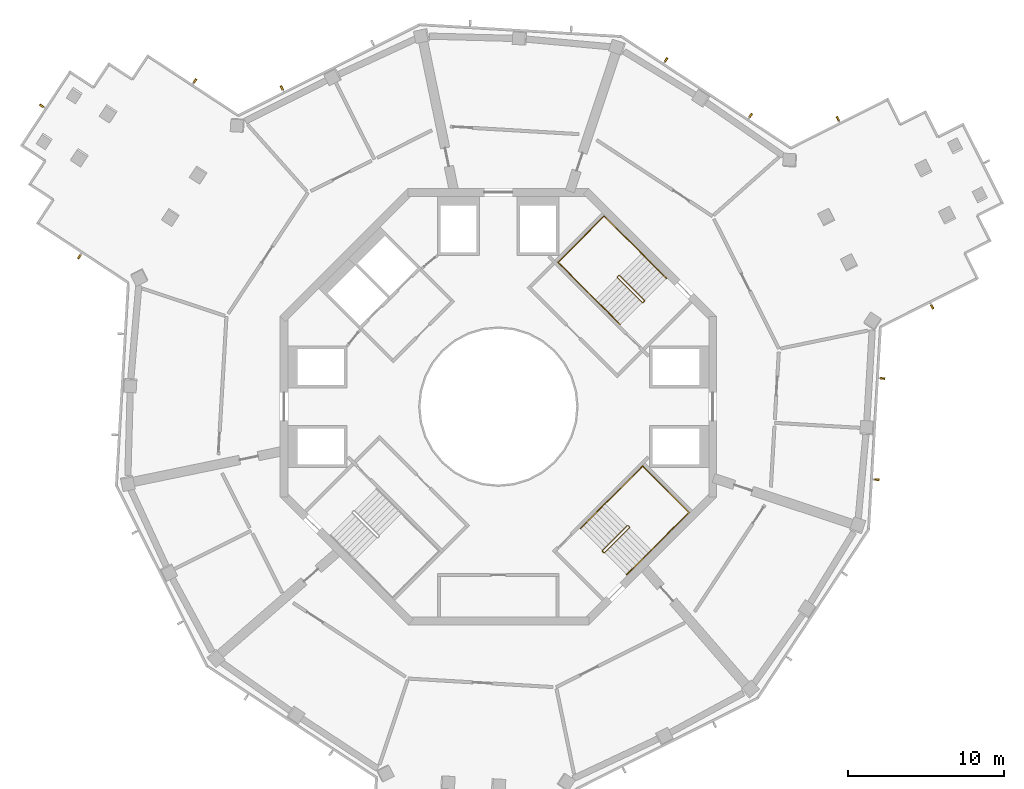
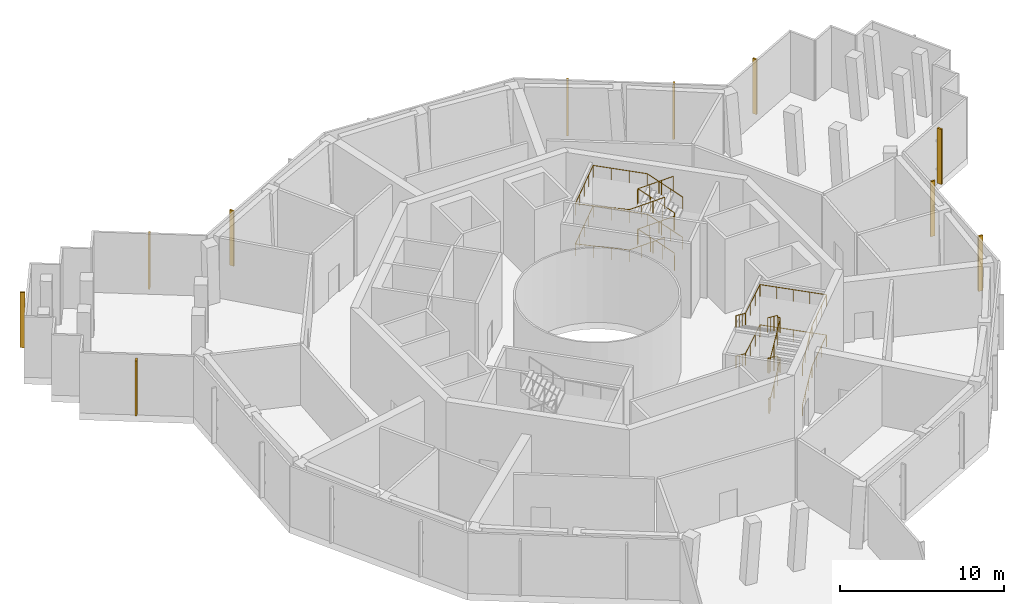
# One storey, part 15 of 16: 10 shading devices, 6 railings.
"""IFC4 building model written with IfcOpenShell, lengths in metres."""

from ifc_helpers import new_model, si_unit, direction, frame, origin, origin_2d, place, context, subcontext, project, spatial, rectangle, circle, extrude, material, material_profile, profile_set, type_object, element, save


model = new_model("IFC4")

# Units and contexts
model_context = context("Model", 3, precision=1e-05, world=origin(), true_north=direction((0.0, 1.0)))
body_context = subcontext(model_context, "Body", "Model", "MODEL_VIEW")
ifc_project = project(units=[si_unit("LENGTHUNIT", "METRE"), si_unit("AREAUNIT", "SQUARE_METRE"), si_unit("VOLUMEUNIT", "CUBIC_METRE"), si_unit("PLANEANGLEUNIT", "RADIAN"), si_unit("MASSUNIT", "GRAM", prefix="KILO")], contexts=[model_context])

# Site, building, storey
site_placement = place(None, origin())
site = spatial("IfcSite", under=ifc_project, at=site_placement, CompositionType="ELEMENT")
building_placement = place(site_placement, origin())
building = spatial("IfcBuilding", under=site, at=building_placement, Name="Verdalira Terraces Hotel", CompositionType="ELEMENT")
storey_placement = place(building_placement, frame((0.0, 0.0, 263.0)))
storey = spatial("IfcBuildingStorey", under=building, at=storey_placement, Name="L65", CompositionType="ELEMENT", Elevation=263.0)

# Railings
ifc_material_1 = material(Name="Stainless steel", Category="steel")
railing_type_1 = type_object("IfcRailingType", Name="Stair guard 1100", PredefinedType="GUARDRAIL", material=ifc_material_1)
railing_1_placement = place(storey_placement, frame((9.369141, 6.75293, 0.0)))
element("IfcRailing", 1, at=railing_1_placement, inside=storey, type_object=railing_type_1, Name="L65 ST1 stair guard 1", PredefinedType="GUARDRAIL", context=body_context, shape_type="SweptSolid", body=[
    extrude(circle(Radius=0.023926, at=origin_2d()), frame((0.0, 0.0, 1.076172), z_axis=(-0.707106781, -0.707106781, 0.0), x_axis=(0.707106781, -0.707106781, 0.0)), (0.0, 0.0, 1.0), 0.100098),
    extrude(circle(Radius=0.023926, at=origin_2d()), frame((-0.070801, -0.070801, 1.076172), z_axis=(0.308122069, 0.615181649, 0.725680598), x_axis=(-0.894118129, 0.447831187, 0.0)), (0.0, 0.0, 1.0), 0.229736),
    extrude(circle(Radius=0.023926, at=origin_2d()), frame((0.0, 0.070557, 1.242676), z_axis=(-0.607628069, 0.607628069, 0.511445266), x_axis=(-0.707106781, -0.707106781, 0.0)), (0.0, 0.0, 1.0), 2.606934),
    extrude(circle(Radius=0.023926, at=origin_2d()), frame((-1.583984, 1.654541, 2.576172), z_axis=(-1.0, 0.0, 0.0), x_axis=(0.0, -1.0, 0.0)), (0.0, 0.0, 1.0), 0.070557),
    extrude(circle(Radius=0.023926, at=origin_2d()), frame((-1.654541, 1.654541, 2.576172), z_axis=(-0.707106781, -0.707106781, 0.0), x_axis=(0.707106781, -0.707106781, 0.0)), (0.0, 0.0, 1.0), 0.100098),
    extrude(circle(Radius=0.023926, at=origin_2d()), frame((-1.725342, 1.58374, 2.576172), z_axis=(0.0, -0.389683978, 0.92094864), x_axis=(1.0, 0.0, 0.0)), (0.0, 0.0, 1.0), 0.181152),
    extrude(circle(Radius=0.023926, at=origin_2d()), frame((-1.725342, 1.513184, 2.742676), z_axis=(0.607628069, -0.607628069, 0.511445266), x_axis=(0.707106781, 0.707106781, 0.0)), (0.0, 0.0, 1.0), 2.606934),
    extrude(circle(Radius=0.023926, at=origin_2d()), frame((-0.141357, -0.070801, 4.076172), z_axis=(1.0, 0.0, 0.0), x_axis=(0.0, 1.0, 0.0)), (0.0, 0.0, 1.0), 0.070557),
    extrude(circle(Radius=0.023926, at=origin_2d()), frame((-0.070801, -0.070801, 4.076172), z_axis=(0.707106781, 0.707106781, 0.0), x_axis=(-0.707106781, 0.707106781, 0.0)), (0.0, 0.0, 1.0), 0.100098),
    extrude(circle(Radius=0.023926, at=origin_2d()), frame((0.0, 0.0, 4.076172), z_axis=(0.0, 0.389683978, 0.92094864), x_axis=(-1.0, 0.0, 0.0)), (0.0, 0.0, 1.0), 0.181152),
    extrude(circle(Radius=0.023926, at=origin_2d()), frame((0.0, 0.070557, 4.242676), z_axis=(-0.607628069, 0.607628069, 0.511445266), x_axis=(-0.707106781, -0.707106781, 0.0)), (0.0, 0.0, 1.0), 2.606934),
    extrude(circle(Radius=0.023926, at=origin_2d()), frame((-1.583984, 1.654541, 5.576172), z_axis=(-1.0, 0.0, 0.0), x_axis=(0.0, -1.0, 0.0)), (0.0, 0.0, 1.0), 0.070557),
    extrude(circle(Radius=0.023926, at=origin_2d()), frame((-1.654541, 1.654541, 5.576172), z_axis=(-0.707106781, -0.707106781, 0.0), x_axis=(0.707106781, -0.707106781, 0.0)), (0.0, 0.0, 1.0), 0.100098),
    extrude(circle(Radius=0.023926, at=origin_2d()), frame((-1.725342, 1.58374, 5.576172), z_axis=(0.0, -0.389683978, 0.92094864), x_axis=(1.0, 0.0, 0.0)), (0.0, 0.0, 1.0), 0.181152),
    extrude(circle(Radius=0.023926, at=origin_2d()), frame((-1.725342, 1.513184, 5.742676), z_axis=(0.607628069, -0.607628069, 0.511445266), x_axis=(0.707106781, 0.707106781, 0.0)), (0.0, 0.0, 1.0), 2.606934),
    extrude(circle(Radius=0.020996, at=origin_2d()), origin(), (0.0, 0.0, 1.0), 1.052002),
    extrude(circle(Radius=0.020996, at=origin_2d()), frame((-0.070801, -0.070801, 0.0)), (0.0, 0.0, 1.0), 1.052002),
    extrude(circle(Radius=0.020996, at=origin_2d()), frame((0.0, 0.070557, 0.166748)), (0.0, 0.0, 1.0), 1.052002),
    extrude(circle(Radius=0.020996, at=origin_2d()), frame((-0.528076, 0.598633, 0.611084)), (0.0, 0.0, 1.0), 1.052002),
    extrude(circle(Radius=0.020996, at=origin_2d()), frame((-1.055908, 1.126465, 1.055664)), (0.0, 0.0, 1.0), 1.052002),
    extrude(circle(Radius=0.020996, at=origin_2d()), frame((-1.583984, 1.654541, 1.5)), (0.0, 0.0, 1.0), 1.052002),
    extrude(circle(Radius=0.020996, at=origin_2d()), frame((-1.654541, 1.654541, 1.5)), (0.0, 0.0, 1.0), 1.052002),
    extrude(circle(Radius=0.020996, at=origin_2d()), frame((-1.725342, 1.58374, 1.5)), (0.0, 0.0, 1.0), 1.052002),
    extrude(circle(Radius=0.020996, at=origin_2d()), frame((-1.725342, 1.513184, 1.666748)), (0.0, 0.0, 1.0), 1.052002),
    extrude(circle(Radius=0.020996, at=origin_2d()), frame((-1.197266, 0.985107, 2.111084)), (0.0, 0.0, 1.0), 1.052002),
    extrude(circle(Radius=0.020996, at=origin_2d()), frame((-0.669434, 0.457275, 2.555664)), (0.0, 0.0, 1.0), 1.052002),
    extrude(circle(Radius=0.020996, at=origin_2d()), frame((-0.141357, -0.070801, 3.0)), (0.0, 0.0, 1.0), 1.052002),
    extrude(circle(Radius=0.020996, at=origin_2d()), frame((-0.070801, -0.070801, 3.0)), (0.0, 0.0, 1.0), 1.052002),
    extrude(circle(Radius=0.020996, at=origin_2d()), frame((0.0, 0.0, 3.0)), (0.0, 0.0, 1.0), 1.052002),
    extrude(circle(Radius=0.020996, at=origin_2d()), frame((0.0, 0.070557, 3.166748)), (0.0, 0.0, 1.0), 1.052002),
    extrude(circle(Radius=0.020996, at=origin_2d()), frame((-0.528076, 0.598633, 3.611084)), (0.0, 0.0, 1.0), 1.052002),
    extrude(circle(Radius=0.020996, at=origin_2d()), frame((-1.055908, 1.126465, 4.055664)), (0.0, 0.0, 1.0), 1.052002),
    extrude(circle(Radius=0.020996, at=origin_2d()), frame((-1.583984, 1.654541, 4.5)), (0.0, 0.0, 1.0), 1.052002),
    extrude(circle(Radius=0.020996, at=origin_2d()), frame((-1.654541, 1.654541, 4.5)), (0.0, 0.0, 1.0), 1.052002),
    extrude(circle(Radius=0.020996, at=origin_2d()), frame((-1.725342, 1.58374, 4.5)), (0.0, 0.0, 1.0), 1.052002),
    extrude(circle(Radius=0.020996, at=origin_2d()), frame((-1.725342, 1.513184, 4.666748)), (0.0, 0.0, 1.0), 1.052002),
    extrude(circle(Radius=0.020996, at=origin_2d()), frame((-1.197266, 0.985107, 5.111084)), (0.0, 0.0, 1.0), 1.052002),
    extrude(circle(Radius=0.020996, at=origin_2d()), frame((-0.669434, 0.457275, 5.555664)), (0.0, 0.0, 1.0), 1.052002),
    extrude(circle(Radius=0.020996, at=origin_2d()), frame((-0.141357, -0.070801, 6.0)), (0.0, 0.0, 1.0), 1.052002),
])
railing_2_placement = place(storey_placement, frame((6.75293, -9.369141, 0.0)))
element("IfcRailing", 2, at=railing_2_placement, inside=storey, type_object=railing_type_1, Name="L65 ST3 stair guard 1", PredefinedType="GUARDRAIL", context=body_context, shape_type="SweptSolid", body=[
    extrude(circle(Radius=0.023926, at=origin_2d()), frame((0.0, 0.0, 1.076172), z_axis=(-0.707106781, 0.707106781, 0.0), x_axis=(-0.707106781, -0.707106781, 0.0)), (0.0, 0.0, 1.0), 0.100098),
    extrude(circle(Radius=0.023926, at=origin_2d()), frame((-0.070801, 0.070801, 1.076172), z_axis=(0.615181649, -0.308122069, 0.725680598), x_axis=(0.447831187, 0.894118129, 0.0)), (0.0, 0.0, 1.0), 0.229736),
    extrude(circle(Radius=0.023926, at=origin_2d()), frame((0.070557, 0.0, 1.242676), z_axis=(0.607628069, 0.607628069, 0.511445266), x_axis=(-0.707106781, 0.707106781, 0.0)), (0.0, 0.0, 1.0), 2.606934),
    extrude(circle(Radius=0.023926, at=origin_2d()), frame((1.654541, 1.583984, 2.576172), z_axis=(0.0, 1.0, 0.0), x_axis=(-1.0, 0.0, 0.0)), (0.0, 0.0, 1.0), 0.070557),
    extrude(circle(Radius=0.023926, at=origin_2d()), frame((1.654541, 1.654541, 2.576172), z_axis=(-0.707106781, 0.707106781, 0.0), x_axis=(-0.707106781, -0.707106781, 0.0)), (0.0, 0.0, 1.0), 0.100098),
    extrude(circle(Radius=0.023926, at=origin_2d()), frame((1.58374, 1.725342, 2.576172), z_axis=(-0.389683978, 0.0, 0.92094864), x_axis=(0.0, -1.0, 0.0)), (0.0, 0.0, 1.0), 0.181152),
    extrude(circle(Radius=0.023926, at=origin_2d()), frame((1.513184, 1.725342, 2.742676), z_axis=(-0.607628069, -0.607628069, 0.511445266), x_axis=(0.707106781, -0.707106781, 0.0)), (0.0, 0.0, 1.0), 2.606934),
    extrude(circle(Radius=0.023926, at=origin_2d()), frame((-0.070801, 0.141357, 4.076172), z_axis=(0.0, -1.0, 0.0), x_axis=(1.0, 0.0, 0.0)), (0.0, 0.0, 1.0), 0.070557),
    extrude(circle(Radius=0.023926, at=origin_2d()), frame((-0.070801, 0.070801, 4.076172), z_axis=(0.707106781, -0.707106781, 0.0), x_axis=(0.707106781, 0.707106781, 0.0)), (0.0, 0.0, 1.0), 0.100098),
    extrude(circle(Radius=0.023926, at=origin_2d()), frame((0.0, 0.0, 4.076172), z_axis=(0.389683978, 0.0, 0.92094864), x_axis=(0.0, 1.0, 0.0)), (0.0, 0.0, 1.0), 0.181152),
    extrude(circle(Radius=0.023926, at=origin_2d()), frame((0.070557, 0.0, 4.242676), z_axis=(0.607628069, 0.607628069, 0.511445266), x_axis=(-0.707106781, 0.707106781, 0.0)), (0.0, 0.0, 1.0), 2.606934),
    extrude(circle(Radius=0.023926, at=origin_2d()), frame((1.654541, 1.583984, 5.576172), z_axis=(0.0, 1.0, 0.0), x_axis=(-1.0, 0.0, 0.0)), (0.0, 0.0, 1.0), 0.070557),
    extrude(circle(Radius=0.023926, at=origin_2d()), frame((1.654541, 1.654541, 5.576172), z_axis=(-0.707106781, 0.707106781, 0.0), x_axis=(-0.707106781, -0.707106781, 0.0)), (0.0, 0.0, 1.0), 0.100098),
    extrude(circle(Radius=0.023926, at=origin_2d()), frame((1.58374, 1.725342, 5.576172), z_axis=(-0.389683978, 0.0, 0.92094864), x_axis=(0.0, -1.0, 0.0)), (0.0, 0.0, 1.0), 0.181152),
    extrude(circle(Radius=0.023926, at=origin_2d()), frame((1.513184, 1.725342, 5.742676), z_axis=(-0.607628069, -0.607628069, 0.511445266), x_axis=(0.707106781, -0.707106781, 0.0)), (0.0, 0.0, 1.0), 2.606934),
    extrude(circle(Radius=0.020996, at=origin_2d()), origin(), (0.0, 0.0, 1.0), 1.052002),
    extrude(circle(Radius=0.020996, at=origin_2d()), frame((-0.070801, 0.070801, 0.0)), (0.0, 0.0, 1.0), 1.052002),
    extrude(circle(Radius=0.020996, at=origin_2d()), frame((0.070557, 0.0, 0.166748)), (0.0, 0.0, 1.0), 1.052002),
    extrude(circle(Radius=0.020996, at=origin_2d()), frame((0.598633, 0.528076, 0.611084)), (0.0, 0.0, 1.0), 1.052002),
    extrude(circle(Radius=0.020996, at=origin_2d()), frame((1.126465, 1.055908, 1.055664)), (0.0, 0.0, 1.0), 1.052002),
    extrude(circle(Radius=0.020996, at=origin_2d()), frame((1.654541, 1.583984, 1.5)), (0.0, 0.0, 1.0), 1.052002),
    extrude(circle(Radius=0.020996, at=origin_2d()), frame((1.654541, 1.654541, 1.5)), (0.0, 0.0, 1.0), 1.052002),
    extrude(circle(Radius=0.020996, at=origin_2d()), frame((1.58374, 1.725342, 1.5)), (0.0, 0.0, 1.0), 1.052002),
    extrude(circle(Radius=0.020996, at=origin_2d()), frame((1.513184, 1.725342, 1.666748)), (0.0, 0.0, 1.0), 1.052002),
    extrude(circle(Radius=0.020996, at=origin_2d()), frame((0.985107, 1.197266, 2.111084)), (0.0, 0.0, 1.0), 1.052002),
    extrude(circle(Radius=0.020996, at=origin_2d()), frame((0.457275, 0.669434, 2.555664)), (0.0, 0.0, 1.0), 1.052002),
    extrude(circle(Radius=0.020996, at=origin_2d()), frame((-0.070801, 0.141357, 3.0)), (0.0, 0.0, 1.0), 1.052002),
    extrude(circle(Radius=0.020996, at=origin_2d()), frame((-0.070801, 0.070801, 3.0)), (0.0, 0.0, 1.0), 1.052002),
    extrude(circle(Radius=0.020996, at=origin_2d()), frame((0.0, 0.0, 3.0)), (0.0, 0.0, 1.0), 1.052002),
    extrude(circle(Radius=0.020996, at=origin_2d()), frame((0.070557, 0.0, 3.166748)), (0.0, 0.0, 1.0), 1.052002),
    extrude(circle(Radius=0.020996, at=origin_2d()), frame((0.598633, 0.528076, 3.611084)), (0.0, 0.0, 1.0), 1.052002),
    extrude(circle(Radius=0.020996, at=origin_2d()), frame((1.126465, 1.055908, 4.055664)), (0.0, 0.0, 1.0), 1.052002),
    extrude(circle(Radius=0.020996, at=origin_2d()), frame((1.654541, 1.583984, 4.5)), (0.0, 0.0, 1.0), 1.052002),
    extrude(circle(Radius=0.020996, at=origin_2d()), frame((1.654541, 1.654541, 4.5)), (0.0, 0.0, 1.0), 1.052002),
    extrude(circle(Radius=0.020996, at=origin_2d()), frame((1.58374, 1.725342, 4.5)), (0.0, 0.0, 1.0), 1.052002),
    extrude(circle(Radius=0.020996, at=origin_2d()), frame((1.513184, 1.725342, 4.666748)), (0.0, 0.0, 1.0), 1.052002),
    extrude(circle(Radius=0.020996, at=origin_2d()), frame((0.985107, 1.197266, 5.111084)), (0.0, 0.0, 1.0), 1.052002),
    extrude(circle(Radius=0.020996, at=origin_2d()), frame((0.457275, 0.669434, 5.555664)), (0.0, 0.0, 1.0), 1.052002),
    extrude(circle(Radius=0.020996, at=origin_2d()), frame((-0.070801, 0.141357, 6.0)), (0.0, 0.0, 1.0), 1.052002),
])
ifc_material_2 = material(Name="Stainless steel", Category="steel")
railing_type_2 = type_object("IfcRailingType", Name="Stair handrail 900", PredefinedType="HANDRAIL", material=ifc_material_2)
railing_3_placement = place(storey_placement, frame((10.783447, 8.237793, 0.166748)))
element("IfcRailing", 3, at=railing_3_placement, inside=storey, type_object=railing_type_2, Name="L65 ST1 stair handrail 1", PredefinedType="HANDRAIL", context=body_context, shape_type="SweptSolid", body=[
    extrude(circle(Radius=0.023926, at=origin_2d()), frame((0.0, 0.0, 0.875977), z_axis=(-0.607628069, 0.607628069, 0.511445266), x_axis=(-0.707106781, -0.707106781, 0.0)), (0.0, 0.0, 1.0), 2.606934),
    extrude(circle(Radius=0.023926, at=origin_2d()), frame((-1.583984, 1.583984, 2.208984), z_axis=(-0.707106781, 0.707106781, 0.0), x_axis=(-0.707106781, -0.707106781, 0.0)), (0.0, 0.0, 1.0), 3.409912),
    extrude(circle(Radius=0.023926, at=origin_2d()), frame((-3.995117, 3.995117, 2.208984), z_axis=(-0.707135845, -0.707077716, 0.0), x_axis=(0.707077716, -0.707135845, 0.0)), (0.0, 0.0, 1.0), 4.199951),
    extrude(circle(Radius=0.023926, at=origin_2d()), frame((-6.965088, 1.025391, 2.208984), z_axis=(0.706227142, -0.706298652, 0.048840942), x_axis=(0.707142578, 0.707070983, 0.0)), (0.0, 0.0, 1.0), 3.414062),
    extrude(circle(Radius=0.023926, at=origin_2d()), frame((-4.553955, -1.385986, 2.375977), z_axis=(0.607662647, -0.607568988, 0.511474371), x_axis=(0.707052281, 0.707161277, 0.0)), (0.0, 0.0, 1.0), 2.606689),
    extrude(circle(Radius=0.020996, at=origin_2d()), origin(), (0.0, 0.0, 1.0), 0.851807),
    extrude(circle(Radius=0.020996, at=origin_2d()), frame((-0.528076, 0.528076, 0.444336)), (0.0, 0.0, 1.0), 0.851807),
    extrude(circle(Radius=0.020996, at=origin_2d()), frame((-1.055908, 1.055908, 0.888916)), (0.0, 0.0, 1.0), 0.851807),
    extrude(circle(Radius=0.020996, at=origin_2d()), frame((-1.583984, 1.583984, 1.333252)), (0.0, 0.0, 1.0), 0.851807),
    extrude(circle(Radius=0.020996, at=origin_2d()), frame((-2.387695, 2.387695, 1.333252)), (0.0, 0.0, 1.0), 0.851807),
    extrude(circle(Radius=0.020996, at=origin_2d()), frame((-3.191406, 3.191406, 1.333252)), (0.0, 0.0, 1.0), 0.851807),
    extrude(circle(Radius=0.020996, at=origin_2d()), frame((-3.995117, 3.995117, 1.333252)), (0.0, 0.0, 1.0), 0.851807),
    extrude(circle(Radius=0.020996, at=origin_2d()), frame((-4.737549, 3.252686, 1.333252)), (0.0, 0.0, 1.0), 0.851807),
    extrude(circle(Radius=0.020996, at=origin_2d()), frame((-5.47998, 2.510254, 1.333252)), (0.0, 0.0, 1.0), 0.851807),
    extrude(circle(Radius=0.020996, at=origin_2d()), frame((-6.222656, 1.767822, 1.333252)), (0.0, 0.0, 1.0), 0.851807),
    extrude(circle(Radius=0.020996, at=origin_2d()), frame((-6.965088, 1.025391, 1.333252)), (0.0, 0.0, 1.0), 0.851807),
    extrude(circle(Radius=0.020996, at=origin_2d()), frame((-6.161377, 0.22168, 1.388916)), (0.0, 0.0, 1.0), 0.851807),
    extrude(circle(Radius=0.020996, at=origin_2d()), frame((-5.357666, -0.582275, 1.444336)), (0.0, 0.0, 1.0), 0.851807),
    extrude(circle(Radius=0.020996, at=origin_2d()), frame((-4.553955, -1.385986, 1.5)), (0.0, 0.0, 1.0), 0.851807),
    extrude(circle(Radius=0.020996, at=origin_2d()), frame((-4.025879, -1.913818, 1.944336)), (0.0, 0.0, 1.0), 0.851807),
    extrude(circle(Radius=0.020996, at=origin_2d()), frame((-3.498047, -2.441895, 2.388916)), (0.0, 0.0, 1.0), 0.851807),
    extrude(circle(Radius=0.020996, at=origin_2d()), frame((-2.969971, -2.969727, 2.833252)), (0.0, 0.0, 1.0), 0.851807),
])
railing_4_placement = place(storey_placement, frame((10.783447, 8.237793, 3.166748)))
element("IfcRailing", 4, at=railing_4_placement, inside=storey, type_object=railing_type_2, Name="L65 ST1 stair handrail 2", PredefinedType="HANDRAIL", context=body_context, shape_type="SweptSolid", body=[
    extrude(circle(Radius=0.023926, at=origin_2d()), frame((0.0, 0.0, 0.875977), z_axis=(-0.607628069, 0.607628069, 0.511445266), x_axis=(-0.707106781, -0.707106781, 0.0)), (0.0, 0.0, 1.0), 2.606934),
    extrude(circle(Radius=0.023926, at=origin_2d()), frame((-1.583984, 1.583984, 2.208984), z_axis=(-0.707106781, 0.707106781, 0.0), x_axis=(-0.707106781, -0.707106781, 0.0)), (0.0, 0.0, 1.0), 3.409912),
    extrude(circle(Radius=0.023926, at=origin_2d()), frame((-3.995117, 3.995117, 2.208984), z_axis=(-0.707135845, -0.707077716, 0.0), x_axis=(0.707077716, -0.707135845, 0.0)), (0.0, 0.0, 1.0), 4.199951),
    extrude(circle(Radius=0.023926, at=origin_2d()), frame((-6.965088, 1.025391, 2.208984), z_axis=(0.706227142, -0.706298652, 0.048840942), x_axis=(0.707142578, 0.707070983, 0.0)), (0.0, 0.0, 1.0), 3.414062),
    extrude(circle(Radius=0.023926, at=origin_2d()), frame((-4.553955, -1.385986, 2.375977), z_axis=(0.607662647, -0.607568988, 0.511474371), x_axis=(0.707052281, 0.707161277, 0.0)), (0.0, 0.0, 1.0), 2.606689),
    extrude(circle(Radius=0.020996, at=origin_2d()), origin(), (0.0, 0.0, 1.0), 0.851807),
    extrude(circle(Radius=0.020996, at=origin_2d()), frame((-0.528076, 0.528076, 0.444336)), (0.0, 0.0, 1.0), 0.851807),
    extrude(circle(Radius=0.020996, at=origin_2d()), frame((-1.055908, 1.055908, 0.888916)), (0.0, 0.0, 1.0), 0.851807),
    extrude(circle(Radius=0.020996, at=origin_2d()), frame((-1.583984, 1.583984, 1.333252)), (0.0, 0.0, 1.0), 0.851807),
    extrude(circle(Radius=0.020996, at=origin_2d()), frame((-2.387695, 2.387695, 1.333252)), (0.0, 0.0, 1.0), 0.851807),
    extrude(circle(Radius=0.020996, at=origin_2d()), frame((-3.191406, 3.191406, 1.333252)), (0.0, 0.0, 1.0), 0.851807),
    extrude(circle(Radius=0.020996, at=origin_2d()), frame((-3.995117, 3.995117, 1.333252)), (0.0, 0.0, 1.0), 0.851807),
    extrude(circle(Radius=0.020996, at=origin_2d()), frame((-4.737549, 3.252686, 1.333252)), (0.0, 0.0, 1.0), 0.851807),
    extrude(circle(Radius=0.020996, at=origin_2d()), frame((-5.47998, 2.510254, 1.333252)), (0.0, 0.0, 1.0), 0.851807),
    extrude(circle(Radius=0.020996, at=origin_2d()), frame((-6.222656, 1.767822, 1.333252)), (0.0, 0.0, 1.0), 0.851807),
    extrude(circle(Radius=0.020996, at=origin_2d()), frame((-6.965088, 1.025391, 1.333252)), (0.0, 0.0, 1.0), 0.851807),
    extrude(circle(Radius=0.020996, at=origin_2d()), frame((-6.161377, 0.22168, 1.388916)), (0.0, 0.0, 1.0), 0.851807),
    extrude(circle(Radius=0.020996, at=origin_2d()), frame((-5.357666, -0.582275, 1.444336)), (0.0, 0.0, 1.0), 0.851807),
    extrude(circle(Radius=0.020996, at=origin_2d()), frame((-4.553955, -1.385986, 1.5)), (0.0, 0.0, 1.0), 0.851807),
    extrude(circle(Radius=0.020996, at=origin_2d()), frame((-4.025879, -1.913818, 1.944336)), (0.0, 0.0, 1.0), 0.851807),
    extrude(circle(Radius=0.020996, at=origin_2d()), frame((-3.498047, -2.441895, 2.388916)), (0.0, 0.0, 1.0), 0.851807),
    extrude(circle(Radius=0.020996, at=origin_2d()), frame((-2.969971, -2.969727, 2.833252)), (0.0, 0.0, 1.0), 0.851807),
])
railing_5_placement = place(storey_placement, frame((8.237793, -10.783447, 0.166748)))
element("IfcRailing", 5, at=railing_5_placement, inside=storey, type_object=railing_type_2, Name="L65 ST3 stair handrail 1", PredefinedType="HANDRAIL", context=body_context, shape_type="SweptSolid", body=[
    extrude(circle(Radius=0.023926, at=origin_2d()), frame((0.0, 0.0, 0.875977), z_axis=(0.607628069, 0.607628069, 0.511445266), x_axis=(-0.707106781, 0.707106781, 0.0)), (0.0, 0.0, 1.0), 2.606934),
    extrude(circle(Radius=0.023926, at=origin_2d()), frame((1.583984, 1.583984, 2.208984), z_axis=(0.707106781, 0.707106781, 0.0), x_axis=(-0.707106781, 0.707106781, 0.0)), (0.0, 0.0, 1.0), 3.409912),
    extrude(circle(Radius=0.023926, at=origin_2d()), frame((3.995117, 3.995117, 2.208984), z_axis=(-0.707077716, 0.707135845, 0.0), x_axis=(-0.707135845, -0.707077716, 0.0)), (0.0, 0.0, 1.0), 4.199951),
    extrude(circle(Radius=0.023926, at=origin_2d()), frame((1.025391, 6.965088, 2.208984), z_axis=(-0.706298652, -0.706227142, 0.048840942), x_axis=(0.707070983, -0.707142578, 0.0)), (0.0, 0.0, 1.0), 3.414062),
    extrude(circle(Radius=0.023926, at=origin_2d()), frame((-1.385986, 4.553955, 2.375977), z_axis=(-0.607568988, -0.607662647, 0.511474371), x_axis=(0.707161277, -0.707052281, 0.0)), (0.0, 0.0, 1.0), 2.606689),
    extrude(circle(Radius=0.020996, at=origin_2d()), origin(), (0.0, 0.0, 1.0), 0.851807),
    extrude(circle(Radius=0.020996, at=origin_2d()), frame((0.528076, 0.528076, 0.444336)), (0.0, 0.0, 1.0), 0.851807),
    extrude(circle(Radius=0.020996, at=origin_2d()), frame((1.055908, 1.055908, 0.888916)), (0.0, 0.0, 1.0), 0.851807),
    extrude(circle(Radius=0.020996, at=origin_2d()), frame((1.583984, 1.583984, 1.333252)), (0.0, 0.0, 1.0), 0.851807),
    extrude(circle(Radius=0.020996, at=origin_2d()), frame((2.387695, 2.387695, 1.333252)), (0.0, 0.0, 1.0), 0.851807),
    extrude(circle(Radius=0.020996, at=origin_2d()), frame((3.191406, 3.191406, 1.333252)), (0.0, 0.0, 1.0), 0.851807),
    extrude(circle(Radius=0.020996, at=origin_2d()), frame((3.995117, 3.995117, 1.333252)), (0.0, 0.0, 1.0), 0.851807),
    extrude(circle(Radius=0.020996, at=origin_2d()), frame((3.252686, 4.737549, 1.333252)), (0.0, 0.0, 1.0), 0.851807),
    extrude(circle(Radius=0.020996, at=origin_2d()), frame((2.510254, 5.47998, 1.333252)), (0.0, 0.0, 1.0), 0.851807),
    extrude(circle(Radius=0.020996, at=origin_2d()), frame((1.767822, 6.222656, 1.333252)), (0.0, 0.0, 1.0), 0.851807),
    extrude(circle(Radius=0.020996, at=origin_2d()), frame((1.025391, 6.965088, 1.333252)), (0.0, 0.0, 1.0), 0.851807),
    extrude(circle(Radius=0.020996, at=origin_2d()), frame((0.22168, 6.161377, 1.388916)), (0.0, 0.0, 1.0), 0.851807),
    extrude(circle(Radius=0.020996, at=origin_2d()), frame((-0.582275, 5.357666, 1.444336)), (0.0, 0.0, 1.0), 0.851807),
    extrude(circle(Radius=0.020996, at=origin_2d()), frame((-1.385986, 4.553955, 1.5)), (0.0, 0.0, 1.0), 0.851807),
    extrude(circle(Radius=0.020996, at=origin_2d()), frame((-1.913818, 4.025879, 1.944336)), (0.0, 0.0, 1.0), 0.851807),
    extrude(circle(Radius=0.020996, at=origin_2d()), frame((-2.441895, 3.498047, 2.388916)), (0.0, 0.0, 1.0), 0.851807),
    extrude(circle(Radius=0.020996, at=origin_2d()), frame((-2.969727, 2.969971, 2.833252)), (0.0, 0.0, 1.0), 0.851807),
])
railing_6_placement = place(storey_placement, frame((8.237793, -10.783447, 3.166748)))
element("IfcRailing", 6, at=railing_6_placement, inside=storey, type_object=railing_type_2, Name="L65 ST3 stair handrail 2", PredefinedType="HANDRAIL", context=body_context, shape_type="SweptSolid", body=[
    extrude(circle(Radius=0.023926, at=origin_2d()), frame((0.0, 0.0, 0.875977), z_axis=(0.607628069, 0.607628069, 0.511445266), x_axis=(-0.707106781, 0.707106781, 0.0)), (0.0, 0.0, 1.0), 2.606934),
    extrude(circle(Radius=0.023926, at=origin_2d()), frame((1.583984, 1.583984, 2.208984), z_axis=(0.707106781, 0.707106781, 0.0), x_axis=(-0.707106781, 0.707106781, 0.0)), (0.0, 0.0, 1.0), 3.409912),
    extrude(circle(Radius=0.023926, at=origin_2d()), frame((3.995117, 3.995117, 2.208984), z_axis=(-0.707077716, 0.707135845, 0.0), x_axis=(-0.707135845, -0.707077716, 0.0)), (0.0, 0.0, 1.0), 4.199951),
    extrude(circle(Radius=0.023926, at=origin_2d()), frame((1.025391, 6.965088, 2.208984), z_axis=(-0.706298652, -0.706227142, 0.048840942), x_axis=(0.707070983, -0.707142578, 0.0)), (0.0, 0.0, 1.0), 3.414062),
    extrude(circle(Radius=0.023926, at=origin_2d()), frame((-1.385986, 4.553955, 2.375977), z_axis=(-0.607568988, -0.607662647, 0.511474371), x_axis=(0.707161277, -0.707052281, 0.0)), (0.0, 0.0, 1.0), 2.606689),
    extrude(circle(Radius=0.020996, at=origin_2d()), origin(), (0.0, 0.0, 1.0), 0.851807),
    extrude(circle(Radius=0.020996, at=origin_2d()), frame((0.528076, 0.528076, 0.444336)), (0.0, 0.0, 1.0), 0.851807),
    extrude(circle(Radius=0.020996, at=origin_2d()), frame((1.055908, 1.055908, 0.888916)), (0.0, 0.0, 1.0), 0.851807),
    extrude(circle(Radius=0.020996, at=origin_2d()), frame((1.583984, 1.583984, 1.333252)), (0.0, 0.0, 1.0), 0.851807),
    extrude(circle(Radius=0.020996, at=origin_2d()), frame((2.387695, 2.387695, 1.333252)), (0.0, 0.0, 1.0), 0.851807),
    extrude(circle(Radius=0.020996, at=origin_2d()), frame((3.191406, 3.191406, 1.333252)), (0.0, 0.0, 1.0), 0.851807),
    extrude(circle(Radius=0.020996, at=origin_2d()), frame((3.995117, 3.995117, 1.333252)), (0.0, 0.0, 1.0), 0.851807),
    extrude(circle(Radius=0.020996, at=origin_2d()), frame((3.252686, 4.737549, 1.333252)), (0.0, 0.0, 1.0), 0.851807),
    extrude(circle(Radius=0.020996, at=origin_2d()), frame((2.510254, 5.47998, 1.333252)), (0.0, 0.0, 1.0), 0.851807),
    extrude(circle(Radius=0.020996, at=origin_2d()), frame((1.767822, 6.222656, 1.333252)), (0.0, 0.0, 1.0), 0.851807),
    extrude(circle(Radius=0.020996, at=origin_2d()), frame((1.025391, 6.965088, 1.333252)), (0.0, 0.0, 1.0), 0.851807),
    extrude(circle(Radius=0.020996, at=origin_2d()), frame((0.22168, 6.161377, 1.388916)), (0.0, 0.0, 1.0), 0.851807),
    extrude(circle(Radius=0.020996, at=origin_2d()), frame((-0.582275, 5.357666, 1.444336)), (0.0, 0.0, 1.0), 0.851807),
    extrude(circle(Radius=0.020996, at=origin_2d()), frame((-1.385986, 4.553955, 1.5)), (0.0, 0.0, 1.0), 0.851807),
    extrude(circle(Radius=0.020996, at=origin_2d()), frame((-1.913818, 4.025879, 1.944336)), (0.0, 0.0, 1.0), 0.851807),
    extrude(circle(Radius=0.020996, at=origin_2d()), frame((-2.441895, 3.498047, 2.388916)), (0.0, 0.0, 1.0), 0.851807),
    extrude(circle(Radius=0.020996, at=origin_2d()), frame((-2.969727, 2.969971, 2.833252)), (0.0, 0.0, 1.0), 0.851807),
])

# Shading devices
ifc_material_3 = material(Name="Terracotta frame", Category="masonry")
ifc_material_profile = material_profile(ifc_material_3, rectangle(XDim=0.120117, YDim=0.300049, at=origin_2d()), Name="FIN 120x300")
ifc_profile_set = profile_set([ifc_material_profile], Name="Terracotta frame")
shading_device_type = type_object("IfcShadingDeviceType", Name="Terracotta fin 120x300", PredefinedType="USERDEFINED", material=ifc_profile_set)
for number, where, z_axis, x_axis, name in (
    (7, (-19.466553, 20.897949, 0.199951), (0.0, 0.0, 1.0), (-0.835231968, 0.549897772, 0.0), "Terracotta fin"),
    (8, (-29.311035, 19.297607, 0.199951), (0.0, 0.0, 1.0), (-0.549897772, -0.835231968, 0.0), "Terracotta fin"),
    (9, (-26.890137, 9.622314, 0.199951), (0.0, 0.0, 1.0), (0.835231968, -0.549897772, 0.0), "Terracotta fin"),
    (10, (24.275635, -4.680908, 0.199951), (0.0, 0.0, 1.0), (0.058609456, 0.998280988, 0.0), "Terracotta fin"),
    (11, (24.656738, 1.808105, 0.199951), (0.0, 0.0, 1.0), (0.058609456, 0.998280988, 0.0), "Terracotta fin"),
    (12, (27.831299, 6.409668, 0.199951), (0.0, 0.0, 1.0), (0.893841424, 0.448383216, 0.0), "Terracotta fin"),
    (13, (21.77832, 18.476318, 0.199951), (0.0, 0.0, 1.0), (-0.893841424, -0.448383216, 0.0), "Terracotta fin"),
    (14, (16.19165, 18.682861, 0.199951), (0.0, 0.0, 1.0), (-0.835231968, 0.549897772, 0.0), "Terracotta fin"),
    (15, (10.762451, 22.257324, 0.199951), (0.0, 0.0, 1.0), (-0.835231968, 0.549897772, 0.0), "Terracotta fin"),
    (16, (-13.894043, 20.449219, 0.199951), (0.0, 0.0, 1.0), (-0.893841424, -0.448383216, 0.0), "Terracotta fin"),
):
    element("IfcShadingDevice", number, at=place(storey_placement, frame(where, z_axis=z_axis, x_axis=x_axis)), inside=storey, type_object=shading_device_type, Name=name, ObjectType="FIN", PredefinedType="USERDEFINED", context=body_context, shape_type="SweptSolid", body=[
        extrude(rectangle(XDim=0.120117, YDim=0.300049, at=origin_2d()), origin(), (0.0, 0.0, 1.0), 4.100098),
    ])

save(model, "model.ifc")
